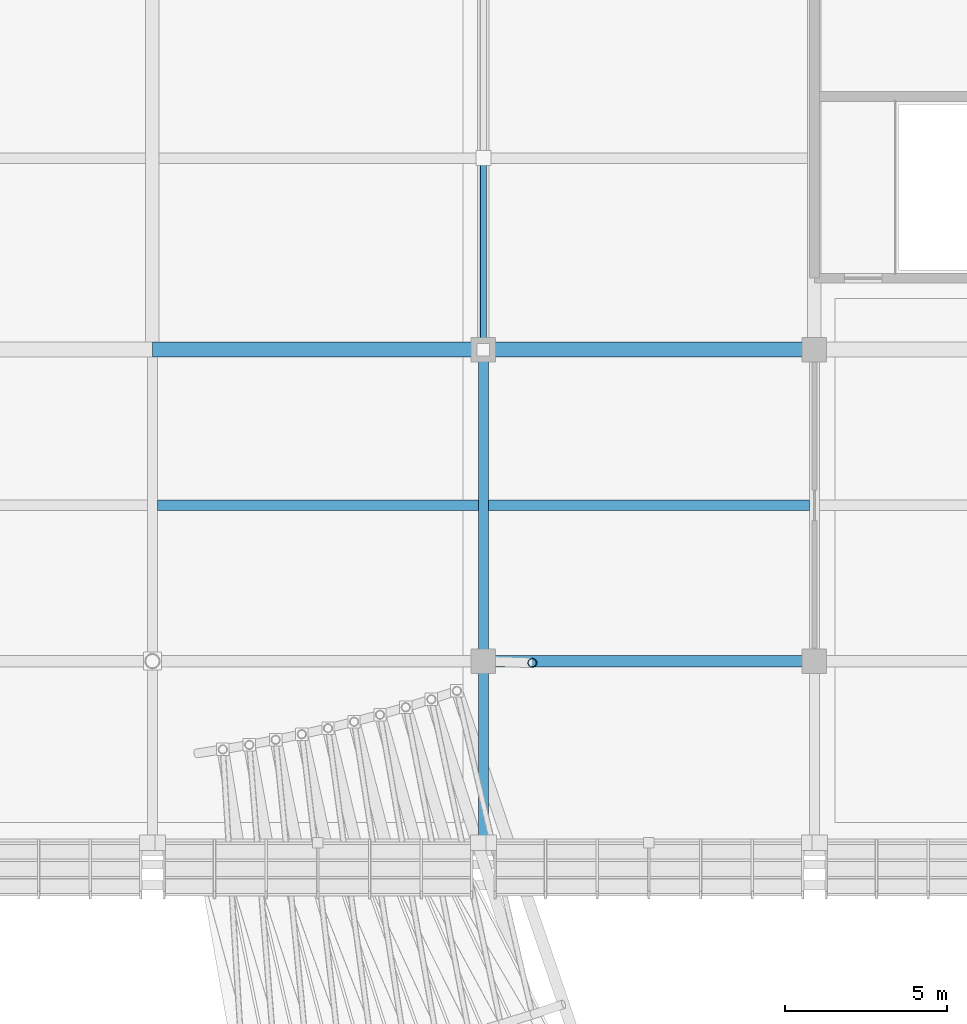
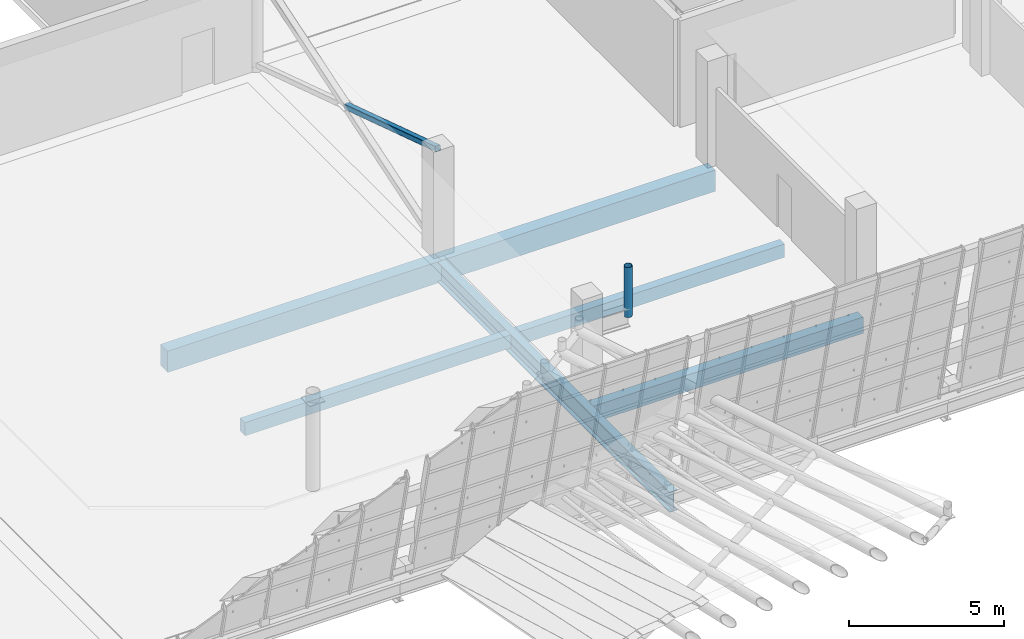
# One storey, part 52 of 157: 6 beams, 2 members.
"""IFC4 building model written with IfcOpenShell, lengths in metres."""

from ifc_helpers import new_model, si_unit, direction, frame, origin, origin_2d, place, context, subcontext, project, spatial, rectangle, hollow_rectangle, hollow_circle, i_section, extrude, material, material_profile, profile_set, type_object, element, save


model = new_model("IFC4")

# Units and contexts
model_context = context("Model", 3, precision=1e-05, world=origin(), true_north=direction((0.0, 1.0)))
body_context = subcontext(model_context, "Body", "Model", "MODEL_VIEW")
ifc_project = project(units=[si_unit("LENGTHUNIT", "METRE"), si_unit("AREAUNIT", "SQUARE_METRE"), si_unit("VOLUMEUNIT", "CUBIC_METRE"), si_unit("PLANEANGLEUNIT", "RADIAN"), si_unit("MASSUNIT", "GRAM", prefix="KILO")], contexts=[model_context])

# Site, building, storey
site_placement = place(None, origin())
site = spatial("IfcSite", under=ifc_project, at=site_placement, CompositionType="ELEMENT")
building_placement = place(site_placement, origin())
building = spatial("IfcBuilding", under=site, at=building_placement, Name="Brelvane Convention Centre", CompositionType="ELEMENT")
storey_placement = place(building_placement, frame((0.0, 0.0, 10.800048828125)))
storey = spatial("IfcBuildingStorey", under=building, at=storey_placement, Name="L02", CompositionType="ELEMENT", Elevation=10.800048828125)

# Beams
ifc_material_1 = material(Name="Concrete M40", Category="concrete")
ifc_material_profile_1 = material_profile(ifc_material_1, rectangle(XDim=0.4599609375, YDim=0.840087890625, at=origin_2d()), Name="RC 460x840")
ifc_profile_set_1 = profile_set([ifc_material_profile_1], Name="Concrete M40")
beam_type_1 = type_object("IfcBeamType", Name="RC Beam B-RC11 (RC 460x840)", PredefinedType="BEAM", material=ifc_profile_set_1)
for number, where, z_axis, x_axis, name in (
    (1, (153.0, 28.800048828125, -0.699951171875), (1.0, 0.0, 0.0), (0.0, 1.0, 0.0), "L02 Beam 16-17/D"),
    (2, (163.199951171875, 28.800048828125, -0.699951171875), (1.0, 0.0, 0.0), (0.0, 1.0, 0.0), "L02 Beam 17-18/D"),
):
    element("IfcBeam", number, at=place(storey_placement, frame(where, z_axis=z_axis, x_axis=x_axis)), inside=storey, type_object=beam_type_1, Name=name, PredefinedType="BEAM", context=body_context, shape_type="SweptSolid", body=[
        extrude(rectangle(XDim=0.4599609375, YDim=0.840087890625, at=origin_2d()), origin(), (0.0, 0.0, 1.0), 10.199951171875),
    ])
ifc_material_2 = material(Name="Concrete M40", Category="concrete")
ifc_material_profile_2 = material_profile(ifc_material_2, rectangle(XDim=0.320068359375, YDim=0.52001953125, at=origin_2d()), Name="RC 320x520")
ifc_profile_set_2 = profile_set([ifc_material_profile_2], Name="Concrete M40")
beam_type_2 = type_object("IfcBeamType", Name="RC Joist J-RC4 (RC 320x520)", PredefinedType="JOIST", material=ifc_profile_set_2)
beam_1_placement = place(storey_placement, frame((153.14990234375, 24.0, -0.5400390625), z_axis=(1.0, 0.0, 0.0), x_axis=(0.0, 1.0, 0.0)))
element("IfcBeam", 3, at=beam_1_placement, inside=storey, type_object=beam_type_2, Name="L02 Secondary Joist 16-17/CD", PredefinedType="JOIST", context=body_context, shape_type="SweptSolid", body=[
    extrude(rectangle(XDim=0.320068359375, YDim=0.52001953125, at=origin_2d()), origin(), (0.0, 0.0, 1.0), 9.900146484375),
])
beam_2_placement = place(storey_placement, frame((163.35009765625, 24.0, -0.5400390625), z_axis=(1.0, 0.0, 0.0), x_axis=(0.0, 1.0, 0.0)))
element("IfcBeam", 4, at=beam_2_placement, inside=storey, type_object=beam_type_2, Name="L02 Secondary Joist 17-18/CD", PredefinedType="JOIST", context=body_context, shape_type="SweptSolid", body=[
    extrude(rectangle(XDim=0.320068359375, YDim=0.52001953125, at=origin_2d()), origin(), (0.0, 0.0, 1.0), 9.89990234375),
])
ifc_material_3 = material(Name="Concrete M40", Category="concrete")
ifc_material_profile_3 = material_profile(ifc_material_3, rectangle(XDim=0.360107421875, YDim=0.639892578125, at=origin_2d()), Name="RC 360x640")
ifc_profile_set_3 = profile_set([ifc_material_profile_3], Name="Concrete M40")
beam_type_3 = type_object("IfcBeamType", Name="RC Spandrel SP-RC3 (RC 360x640)", PredefinedType="SPANDREL", material=ifc_profile_set_3)
beam_3_placement = place(storey_placement, frame((163.199951171875, 19.199951171875, -0.60009765625), z_axis=(1.0, 0.0, 0.0), x_axis=(0.0, 1.0, 0.0)))
element("IfcBeam", 5, at=beam_3_placement, inside=storey, type_object=beam_type_3, Name="L02 Beam 17-18/C", PredefinedType="SPANDREL", context=body_context, shape_type="SweptSolid", body=[
    extrude(rectangle(XDim=0.360107421875, YDim=0.639892578125, at=origin_2d()), origin(), (0.0, 0.0, 1.0), 10.199951171875),
])
ifc_material_4 = material(Name="Steel E450 (450 MPa)", Category="steel")
ifc_material_profile_4 = material_profile(ifc_material_4, i_section(OverallWidth=0.300048828125, OverallDepth=0.800048828125, WebThickness=0.015380859375, FlangeThickness=0.030029296875, FilletRadius=0.027099609375, at=origin_2d()), Name="NPB 800x300")
ifc_profile_set_4 = profile_set([ifc_material_profile_4], Name="Steel E450 (450 MPa)")
beam_type_4 = type_object("IfcBeamType", Name="Steel Beam B-ST2 (NPB 800x300)", PredefinedType="BEAM", material=ifc_profile_set_4)
beam_4_placement = place(storey_placement, frame((163.199951171875, 13.60009765625, -0.679931640625), z_axis=(0.0, 1.0, 0.0), x_axis=(-1.0, 0.0, 0.0)))
element("IfcBeam", 6, at=beam_4_placement, inside=storey, type_object=beam_type_4, Name="L02 Hull Cantilever Girder 17", PredefinedType="BEAM", context=body_context, shape_type="SweptSolid", body=[
    extrude(i_section(OverallWidth=0.300048828125, OverallDepth=0.800048828125, WebThickness=0.015380859375, FlangeThickness=0.030029296875, FilletRadius=0.027099609375, at=origin_2d()), origin(), (0.0, 0.0, 1.0), 15.199951171875),
])

# Members
ifc_material_5 = material(Name="Steel E350 (350 MPa)", Category="steel")
ifc_material_profile_5 = material_profile(ifc_material_5, hollow_rectangle(XDim=0.199951171875, YDim=0.199951171875, WallThickness=0.010009765625, InnerFilletRadius=0.010009765625, OuterFilletRadius=0.02001953125, at=origin_2d()), Name="SHS 200x200x10.0")
ifc_profile_set_5 = profile_set([ifc_material_profile_5], Name="Steel E350 (350 MPa)")
member_type_1 = type_object("IfcMemberType", Name="Steel Brace BR-ST3 (SHS 200x200x10.0)", PredefinedType="BRACE", material=ifc_profile_set_5)
member_1_placement = place(storey_placement, frame((163.199951171875, 34.699951171875, 2.099853515625), z_axis=(0.0, -0.951852181641, 0.306557375226), x_axis=(1.0, 0.0, 0.0)))
element("IfcMember", 7, at=member_1_placement, inside=storey, type_object=member_type_1, Name="Lateral X-Brace Split Upper V2W-1-L02-B2", PredefinedType="BRACE", context=body_context, shape_type="SweptSolid", body=[
    extrude(hollow_rectangle(XDim=0.199951171875, YDim=0.199951171875, WallThickness=0.010009765625, InnerFilletRadius=0.010009765625, OuterFilletRadius=0.02001953125, at=origin_2d()), origin(), (0.0, 0.0, 1.0), 6.1982421875),
])
ifc_material_6 = material(Name="Steel E350 (350 MPa)", Category="steel")
ifc_material_profile_6 = material_profile(ifc_material_6, hollow_circle(Radius=0.136474609375, WallThickness=0.012451171875, at=origin_2d()), Name="CHS 273.0x12.5")
ifc_profile_set_6 = profile_set([ifc_material_profile_6], Name="Steel E350 (350 MPa)")
member_type_2 = type_object("IfcMemberType", Name="Steel Strut SF-VT1 (CHS 273.0x12.5)", PredefinedType="STRUT", material=ifc_profile_set_6)
member_2_placement = place(storey_placement, frame((164.70751953125, 19.147705078125, 2.75), z_axis=(0.0, 0.0, 1.0), x_axis=(1.0, 0.0, 0.0)))
element("IfcMember", 8, at=member_2_placement, inside=storey, type_object=member_type_2, Name="Canopy Root Anchor Riser L02", PredefinedType="STRUT", context=body_context, shape_type="SweptSolid", body=[
    extrude(hollow_circle(Radius=0.136474609375, WallThickness=0.012451171875, at=origin_2d()), origin(), (0.0, 0.0, 1.0), 1.969970703125),
])

save(model, "model.ifc")
